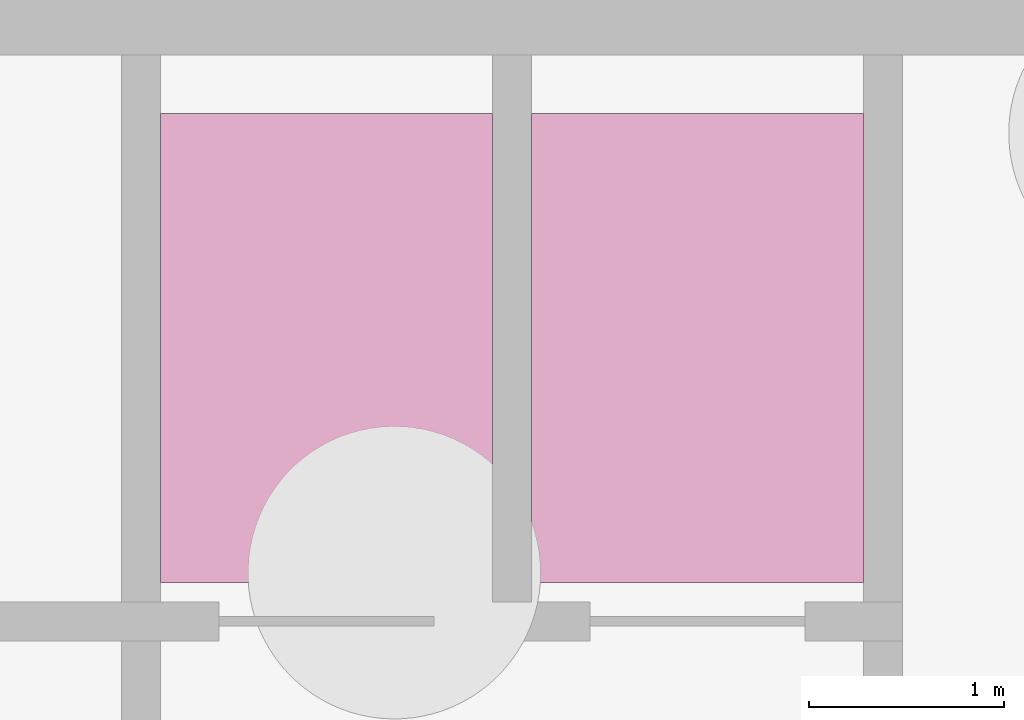
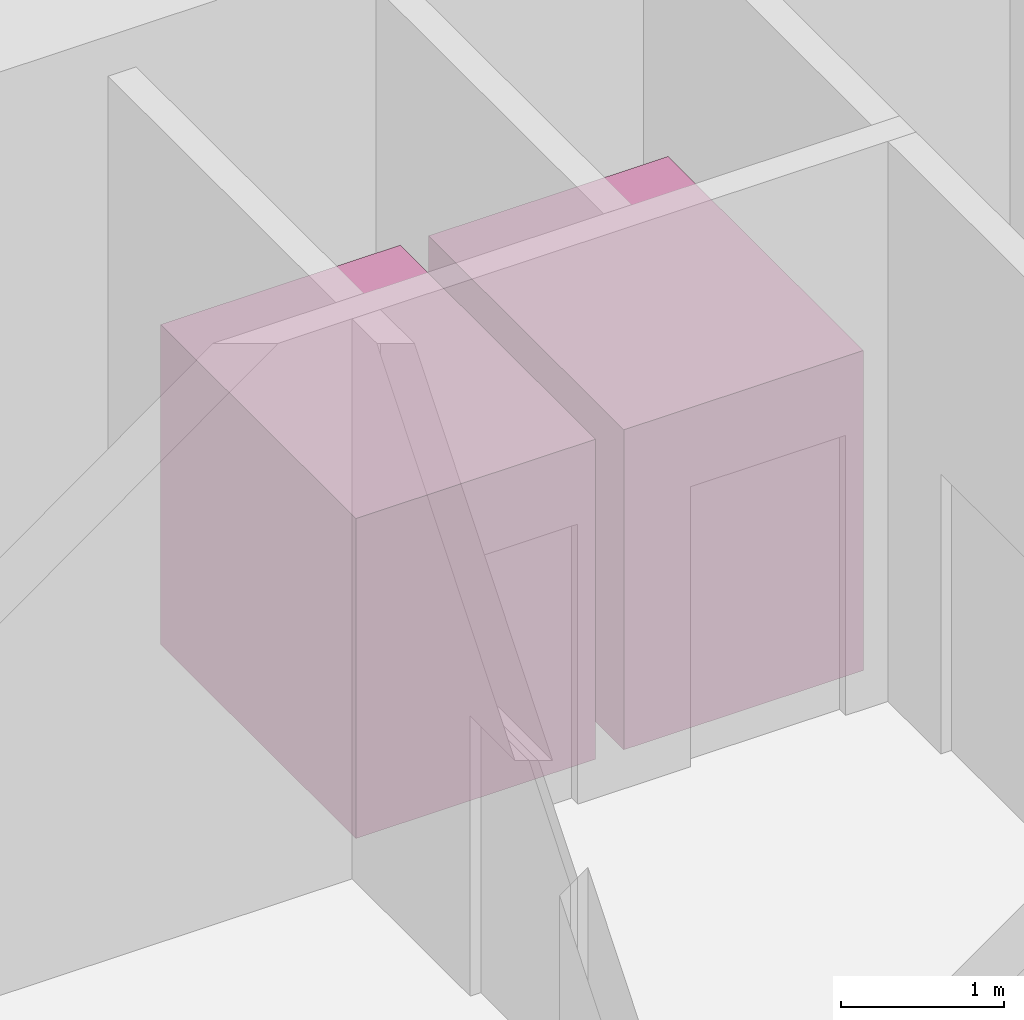
# One storey, part 5 of 5: 2 transport elements.
"""IFC4 building model written with IfcOpenShell, lengths in metres."""

from ifc_helpers import new_model, si_unit, direction, frame, origin, origin_2d, place, context, subcontext, project, spatial, rectangle, extrude, material, type_object, element, save


model = new_model("IFC4")

# Units and contexts
model_context = context("Model", 3, precision=1e-05, world=origin(), true_north=direction((0.0, 1.0)))
body_context = subcontext(model_context, "Body", "Model", "MODEL_VIEW")
ifc_project = project(units=[si_unit("LENGTHUNIT", "METRE"), si_unit("AREAUNIT", "SQUARE_METRE"), si_unit("VOLUMEUNIT", "CUBIC_METRE"), si_unit("PLANEANGLEUNIT", "RADIAN"), si_unit("MASSUNIT", "GRAM", prefix="KILO")], contexts=[model_context])

# Site, building, storey
site_placement = place(None, origin())
site = spatial("IfcSite", under=ifc_project, at=site_placement, CompositionType="ELEMENT")
building_placement = place(site_placement, origin())
building = spatial("IfcBuilding", under=site, at=building_placement, Name="Altiplano Prism Tower", CompositionType="ELEMENT")
storey_placement = place(building_placement, frame((0.0, 0.0, -9.0)))
storey = spatial("IfcBuildingStorey", under=building, at=storey_placement, Name="B2", CompositionType="ELEMENT", Elevation=-9.0)

# Transport elements
ifc_material = material(Name="Stainless steel lift car", Category="steel")
transport_element_type = type_object("IfcTransportElementType", Name="Fire-fighting lift car 1600 x 2400", PredefinedType="ELEVATOR", material=ifc_material)
for number, where, z_axis, x_axis, name in (
    (1, (88.550048828125, 101.89990234375, 0.050048828125), (0.0, 0.0, 1.0), (1.0, 0.0, 0.0), "Fire-Fighting Lift 1"),
    (2, (90.449951171875, 101.89990234375, 0.050048828125), (0.0, 0.0, 1.0), (1.0, 0.0, 0.0), "Fire-Fighting Lift 2"),
):
    element("IfcTransportElement", number, at=place(storey_placement, frame(where, z_axis=z_axis, x_axis=x_axis)), inside=storey, type_object=transport_element_type, Name=name, PredefinedType="ELEVATOR", context=body_context, shape_type="SweptSolid", body=[
        extrude(rectangle(XDim=1.699951171875, YDim=2.39990234375, at=origin_2d()), origin(), (0.0, 0.0, 1.0), 2.39990234375),
    ])

save(model, "model.ifc")
